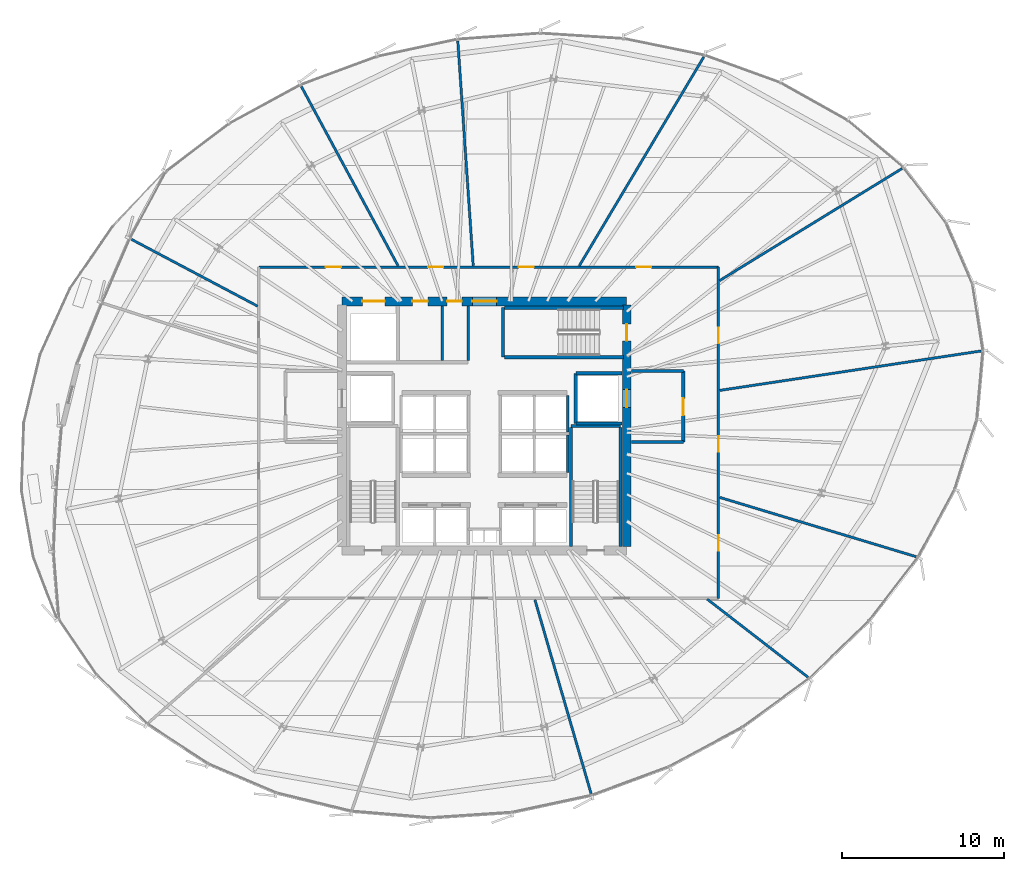
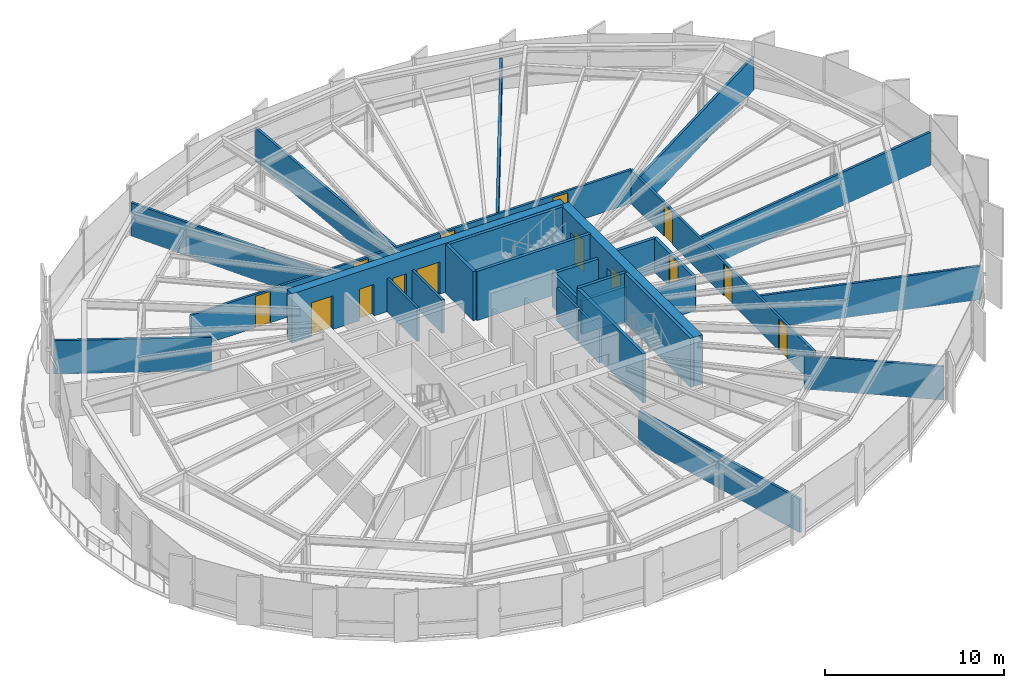
# One storey, part 30 of 35: 29 walls, 14 doors, 14 openings.
"""IFC4 building model written with IfcOpenShell, lengths in metres."""

from ifc_helpers import new_model, si_unit, direction, frame, frame_2d, origin, place, context, subcontext, project, spatial, rectangle, extrude, source, transform, mapped, material, layer, layer_set, type_object, element, fill, save


model = new_model("IFC4")

# Units and contexts
model_context = context("Model", 3, precision=1e-05, world=origin(), true_north=direction((0.0, 1.0)))
body_context = subcontext(model_context, "Body", "Model", "MODEL_VIEW")
ifc_project = project(units=[si_unit("LENGTHUNIT", "METRE"), si_unit("AREAUNIT", "SQUARE_METRE"), si_unit("VOLUMEUNIT", "CUBIC_METRE"), si_unit("PLANEANGLEUNIT", "RADIAN"), si_unit("MASSUNIT", "GRAM", prefix="KILO"), si_unit("THERMODYNAMICTEMPERATUREUNIT", "KELVIN")], contexts=[model_context])

# Site, building, storey
site_placement = place(None, origin())
site = spatial("IfcSite", under=ifc_project, at=site_placement, CompositionType="ELEMENT")
building_placement = place(site_placement, origin())
building = spatial("IfcBuilding", under=site, at=building_placement, Name="Kethvar Cultural Tower", CompositionType="ELEMENT")
storey_placement = place(building_placement, frame((0.0, 0.0, 100.0)))
storey = spatial("IfcBuildingStorey", under=building, at=storey_placement, Name="L24", CompositionType="ELEMENT", Elevation=100.0)

# Wall, openings, doors
ifc_material_1 = material(Name="Concrete C60/75", Category="concrete")
ifc_layer_1 = layer(ifc_material_1, 0.550048828125, Name="Concrete C60/75", Category="concrete")
ifc_layer_set_1 = layer_set([ifc_layer_1], Name="Concrete C60/75 (550 mm)")
wall_type_1 = type_object("IfcWallType", Name="WL-CORE-550", PredefinedType="SHEAR", material=ifc_layer_set_1)
wall_1_placement = place(storey_placement, frame((55.60009765625, 35.5, 0.0), z_axis=(0.0, 0.0, 1.0), x_axis=(-1.0, 0.0, 0.0)))
wall_1 = element("IfcWall", 1, at=wall_1_placement, inside=storey, type_object=wall_type_1, Name="L24 Core Shear Wall N", PredefinedType="SHEAR", context=body_context, shape_type="SweptSolid", body=[
    extrude(rectangle(XDim=17.60009765625, YDim=0.550048828125, at=frame_2d((8.800048828125, 0.0))), origin(), (0.0, 0.0, 1.0), 3.35009765625),
])
opening_1_placement = place(wall_1_placement, frame((8.050048828125, 0.0, 0.0)))
opening_1 = element("IfcOpeningElement", 2, at=opening_1_placement, cuts=wall_1, Name="Opening D-L24-LN", PredefinedType="OPENING", context=body_context, shape_type="SweptSolid", body=[
    extrude(rectangle(XDim=1.5, YDim=2.199951171875, at=frame_2d((0.75, 1.10009765625))), frame((0.0, 0.284912109375, 0.0), z_axis=(0.0, -1.0, 0.0), x_axis=(1.0, 0.0, 0.0)), (0.0, 0.0, 1.0), 0.570068359375),
])
opening_2_placement = place(wall_1_placement, frame((14.949951171875, 0.0, 0.0)))
opening_2 = element("IfcOpeningElement", 3, at=opening_2_placement, cuts=wall_1, Name="Opening LD-G1", PredefinedType="OPENING", context=body_context, shape_type="SweptSolid", body=[
    extrude(rectangle(XDim=1.39990234375, YDim=2.300048828125, at=frame_2d((0.699951171875, 1.14990234375))), frame((0.0, 0.284912109375, 0.0), z_axis=(0.0, -1.0, 0.0), x_axis=(1.0, 0.0, 0.0)), (0.0, 0.0, 1.0), 0.570068359375),
])
opening_3_placement = place(wall_1_placement, frame((12.300048828125, 0.0, 0.0)))
opening_3 = element("IfcOpeningElement", 4, at=opening_3_placement, cuts=wall_1, Name="Opening D-L24-W1", PredefinedType="OPENING", context=body_context, shape_type="SweptSolid", body=[
    extrude(rectangle(XDim=0.949951171875, YDim=2.14990234375, at=frame_2d((0.47509765625, 1.074951171875))), frame((0.0, 0.284912109375, 0.0), z_axis=(0.0, -1.0, 0.0), x_axis=(1.0, 0.0, 0.0)), (0.0, 0.0, 1.0), 0.570068359375),
])
opening_4_placement = place(wall_1_placement, frame((10.199951171875, 0.0, 0.0)))
opening_4 = element("IfcOpeningElement", 5, at=opening_4_placement, cuts=wall_1, Name="Opening D-L24-W2", PredefinedType="OPENING", context=body_context, shape_type="SweptSolid", body=[
    extrude(rectangle(XDim=0.89990234375, YDim=2.14990234375, at=frame_2d((0.449951171875, 1.074951171875))), frame((0.0, 0.284912109375, 0.0), z_axis=(0.0, -1.0, 0.0), x_axis=(1.0, 0.0, 0.0)), (0.0, 0.0, 1.0), 0.570068359375),
])
ifc_material_2 = material(Name="Architectural Oak Timber", Category="wood")
door_type_1 = type_object("IfcDoorType", Name="DR-DBL-FD60-1500", OperationType="DOUBLE_DOOR_SINGLE_SWING", PredefinedType="DOOR", material=ifc_material_2)
shared_shape_1 = source(origin(), body_context, "Body", "SweptSolid", [
    extrude(rectangle(XDim=1.5, YDim=2.199951171875, at=frame_2d((0.75, 1.10009765625))), frame((0.0, 0.02490234375, 0.0), z_axis=(0.0, -1.0, 0.0), x_axis=(1.0, 0.0, 0.0)), (0.0, 0.0, 1.0), 0.050048828125),
])
door_1_placement = place(opening_1_placement, origin())
door_1 = element("IfcDoor", 6, at=door_1_placement, inside=storey, type_object=door_type_1, Name="L24 Lift Lobby Concourse Door", OperationType="DOUBLE_DOOR_SINGLE_SWING", OverallHeight=2.199951171875, OverallWidth=1.5, PredefinedType="DOOR", context=body_context, shape_type="MappedRepresentation", body=[
    mapped(shared_shape_1, transform((0.0, 0.0, 0.0), scale=1.0)),
])
fill(opening_1, door_1)
ifc_material_3 = material(Name="Steel S355J2", Category="steel")
door_type_2 = type_object("IfcDoorType", Name="DR-LIFT-SLIDE-1400", OperationType="NOTDEFINED", PredefinedType="DOOR", material=ifc_material_3)
shared_shape_2 = source(origin(), body_context, "Body", "SweptSolid", [
    extrude(rectangle(XDim=1.39990234375, YDim=2.300048828125, at=frame_2d((0.699951171875, 1.14990234375))), frame((0.0, 0.02490234375, 0.0), z_axis=(0.0, -1.0, 0.0), x_axis=(1.0, 0.0, 0.0)), (0.0, 0.0, 1.0), 0.050048828125),
])
door_2_placement = place(opening_2_placement, origin())
door_2 = element("IfcDoor", 7, at=door_2_placement, inside=storey, type_object=door_type_2, Name="L24 Goods Lift Landing Door", OperationType="SLIDING_TO_RIGHT", OverallHeight=2.300048828125, OverallWidth=1.39990234375, PredefinedType="DOOR", context=body_context, shape_type="MappedRepresentation", body=[
    mapped(shared_shape_2, transform((0.0, 0.0, 0.0), scale=1.0)),
])
fill(opening_2, door_2)
door_type_3 = type_object("IfcDoorType", Name="DR-FD30-950", OperationType="NOTDEFINED", PredefinedType="DOOR", material=ifc_material_2)
shared_shape_3 = source(origin(), body_context, "Body", "SweptSolid", [
    extrude(rectangle(XDim=0.949951171875, YDim=2.14990234375, at=frame_2d((0.47509765625, 1.074951171875))), frame((0.0, 0.02490234375, 0.0), z_axis=(0.0, -1.0, 0.0), x_axis=(1.0, 0.0, 0.0)), (0.0, 0.0, 1.0), 0.050048828125),
])
door_3_placement = place(opening_3_placement, origin())
door_3 = element("IfcDoor", 8, at=door_3_placement, inside=storey, type_object=door_type_3, Name="L24 Public Washroom Door", OperationType="SINGLE_SWING_LEFT", OverallHeight=2.14990234375, OverallWidth=0.949951171875, PredefinedType="DOOR", context=body_context, shape_type="MappedRepresentation", body=[
    mapped(shared_shape_3, transform((0.0, 0.0, 0.0), scale=1.0)),
])
fill(opening_3, door_3)
door_type_4 = type_object("IfcDoorType", Name="DR-FD30-900", OperationType="NOTDEFINED", PredefinedType="DOOR", material=ifc_material_2)
shared_shape_4 = source(origin(), body_context, "Body", "SweptSolid", [
    extrude(rectangle(XDim=0.89990234375, YDim=2.14990234375, at=frame_2d((0.449951171875, 1.074951171875))), frame((0.0, 0.02490234375, 0.0), z_axis=(0.0, -1.0, 0.0), x_axis=(1.0, 0.0, 0.0)), (0.0, 0.0, 1.0), 0.050048828125),
])
door_4_placement = place(opening_4_placement, origin())
door_4 = element("IfcDoor", 9, at=door_4_placement, inside=storey, type_object=door_type_4, Name="L24 Accessible Washroom Door", OperationType="SINGLE_SWING_RIGHT", OverallHeight=2.14990234375, OverallWidth=0.89990234375, PredefinedType="DOOR", context=body_context, shape_type="MappedRepresentation", body=[
    mapped(shared_shape_4, transform((0.0, 0.0, 0.0), scale=1.0)),
])
fill(opening_4, door_4)

wall_2_placement = place(storey_placement, frame((55.60009765625, 20.340087890625, 0.0), z_axis=(0.0, 0.0, 1.0), x_axis=(0.0, 1.0, 0.0)))
wall_2 = element("IfcWall", 10, at=wall_2_placement, inside=storey, type_object=wall_type_1, Name="L24 Core Shear Wall E", PredefinedType="SHEAR", context=body_context, shape_type="SweptSolid", body=[
    extrude(rectangle(XDim=14.919921875, YDim=0.550048828125, at=frame_2d((7.4599609375, 0.0))), origin(), (0.0, 0.0, 1.0), 3.35009765625),
])
opening_5_placement = place(wall_2_placement, frame((12.7099609375, 0.0, 0.0)))
opening_5 = element("IfcOpeningElement", 11, at=opening_5_placement, cuts=wall_2, Name="Opening D-L24-S3", PredefinedType="OPENING", context=body_context, shape_type="SweptSolid", body=[
    extrude(rectangle(XDim=1.050048828125, YDim=2.14990234375, at=frame_2d((0.52490234375, 1.074951171875))), frame((0.0, 0.284912109375, 0.0), z_axis=(0.0, -1.0, 0.0), x_axis=(1.0, 0.0, 0.0)), (0.0, 0.0, 1.0), 0.570068359375),
])
opening_6_placement = place(wall_2_placement, frame((8.610107421875, 0.0, 0.0)))
opening_6 = element("IfcOpeningElement", 12, at=opening_6_placement, cuts=wall_2, Name="Opening LD-2", PredefinedType="OPENING", context=body_context, shape_type="SweptSolid", body=[
    extrude(rectangle(XDim=1.10009765625, YDim=2.199951171875, at=frame_2d((0.550048828125, 1.10009765625))), frame((0.0, 0.284912109375, 0.0), z_axis=(0.0, -1.0, 0.0), x_axis=(1.0, 0.0, 0.0)), (0.0, 0.0, 1.0), 0.570068359375),
])
door_type_5 = type_object("IfcDoorType", Name="DR-FD60-1050", OperationType="NOTDEFINED", PredefinedType="DOOR", material=ifc_material_3)
shared_shape_5 = source(origin(), body_context, "Body", "SweptSolid", [
    extrude(rectangle(XDim=1.050048828125, YDim=2.14990234375, at=frame_2d((0.52490234375, 1.074951171875))), frame((0.0, 0.02490234375, 0.0), z_axis=(0.0, -1.0, 0.0), x_axis=(1.0, 0.0, 0.0)), (0.0, 0.0, 1.0), 0.050048828125),
])
door_5_placement = place(opening_5_placement, origin())
door_5 = element("IfcDoor", 13, at=door_5_placement, inside=storey, type_object=door_type_5, Name="L24 Exit Stair 3 Door", OperationType="SINGLE_SWING_LEFT", OverallHeight=2.14990234375, OverallWidth=1.050048828125, PredefinedType="DOOR", context=body_context, shape_type="MappedRepresentation", body=[
    mapped(shared_shape_5, transform((0.0, 0.0, 0.0), scale=1.0)),
])
fill(opening_5, door_5)
door_type_6 = type_object("IfcDoorType", Name="DR-LIFT-SLIDE-1100", OperationType="NOTDEFINED", PredefinedType="DOOR", material=ifc_material_3)
shared_shape_6 = source(origin(), body_context, "Body", "SweptSolid", [
    extrude(rectangle(XDim=1.10009765625, YDim=2.199951171875, at=frame_2d((0.550048828125, 1.10009765625))), frame((0.0, 0.02490234375, 0.0), z_axis=(0.0, -1.0, 0.0), x_axis=(1.0, 0.0, 0.0)), (0.0, 0.0, 1.0), 0.050048828125),
])
door_6_placement = place(opening_6_placement, origin())
door_6 = element("IfcDoor", 14, at=door_6_placement, inside=storey, type_object=door_type_6, Name="L24 Firefighting Lift Landing Door FFL-02", OperationType="SLIDING_TO_RIGHT", OverallHeight=2.199951171875, OverallWidth=1.10009765625, PredefinedType="DOOR", context=body_context, shape_type="MappedRepresentation", body=[
    mapped(shared_shape_6, transform((0.0, 0.0, 0.0), scale=1.0)),
])
fill(opening_6, door_6)

# Walls
ifc_material_4 = material(Name="Gypsum Fireboard Partition")
ifc_layer_2 = layer(ifc_material_4, 0.14990234375, Name="Gypsum Fireboard Partition")
ifc_layer_set_2 = layer_set([ifc_layer_2], Name="Gypsum Fireboard Partition (150 mm)")
wall_type_2 = type_object("IfcWallType", Name="WL-FIRE-150", PredefinedType="PARTITIONING", material=ifc_layer_set_2)
wall_3_placement = place(storey_placement, frame((51.949951171875, 24.919921875, 0.0), z_axis=(0.0, 0.0, 1.0), x_axis=(0.0, 1.0, 0.0)))
element("IfcWall", 15, at=wall_3_placement, inside=storey, type_object=wall_type_2, Name="L24 Mid-Rise Lift Shaft Outer Wall E", PredefinedType="PARTITIONING", context=body_context, shape_type="SweptSolid", body=[
    extrude(rectangle(XDim=2.320068359375, YDim=0.14990234375, at=frame_2d((1.16015625, 0.0))), origin(), (0.0, 0.0, 1.0), 2.280029296875),
])
wall_4_placement = place(storey_placement, frame((51.949951171875, 27.409912109375, 0.0), z_axis=(0.0, 0.0, 1.0), x_axis=(0.0, 1.0, 0.0)))
element("IfcWall", 16, at=wall_4_placement, inside=storey, type_object=wall_type_2, Name="L24 High-Rise Lift Shaft Outer Wall E", PredefinedType="PARTITIONING", context=body_context, shape_type="SweptSolid", body=[
    extrude(rectangle(XDim=2.27001953125, YDim=0.14990234375, at=frame_2d((1.135009765625, 0.0))), origin(), (0.0, 0.0, 1.0), 2.280029296875),
])
wall_5_placement = place(storey_placement, frame((45.800048828125, 31.85009765625, 0.0), z_axis=(0.0, 0.0, 1.0), x_axis=(0.0, 1.0, 0.0)))
element("IfcWall", 17, at=wall_5_placement, inside=storey, type_object=wall_type_2, Name="L24 Sanitary Spine Wall", PredefinedType="PARTITIONING", context=body_context, shape_type="SweptSolid", body=[
    extrude(rectangle(XDim=3.364990234375, YDim=0.14990234375, at=frame_2d((1.6826171875, 0.0))), origin(), (0.0, 0.0, 1.0), 2.280029296875),
])

# Wall, openings, doors
wall_6_placement = place(storey_placement, frame((61.27001953125, 17.139892578125, 0.0), z_axis=(0.0, 0.0, 1.0), x_axis=(0.0, 1.0, 0.0)))
wall_6 = element("IfcWall", 18, at=wall_6_placement, inside=storey, type_object=wall_type_2, Name="L24 Corridor Rated Wall E", PredefinedType="PARTITIONING", context=body_context, shape_type="SweptSolid", body=[
    extrude(rectangle(XDim=20.480224609375, YDim=0.14990234375, at=frame_2d((10.240234375, 0.0))), origin(), (0.0, 0.0, 1.0), 2.280029296875),
])
opening_7_placement = place(wall_6_placement, frame((2.947021484375, 0.0, 0.0)))
opening_7 = element("IfcOpeningElement", 19, at=opening_7_placement, cuts=wall_6, Name="Opening D-L24-04", PredefinedType="OPENING", context=body_context, shape_type="SweptSolid", body=[
    extrude(rectangle(XDim=0.949951171875, YDim=2.14990234375, at=frame_2d((0.47509765625, 1.074951171875))), frame((0.0, 0.0849609375, 0.0), z_axis=(0.0, -1.0, 0.0), x_axis=(1.0, 0.0, 0.0)), (0.0, 0.0, 1.0), 0.169921875),
])
opening_8_placement = place(wall_6_placement, frame((9.073974609375, 0.0, 0.0)))
opening_8 = element("IfcOpeningElement", 20, at=opening_8_placement, cuts=wall_6, Name="Opening D-L24-05", PredefinedType="OPENING", context=body_context, shape_type="SweptSolid", body=[
    extrude(rectangle(XDim=0.949951171875, YDim=2.14990234375, at=frame_2d((0.47509765625, 1.074951171875))), frame((0.0, 0.0849609375, 0.0), z_axis=(0.0, -1.0, 0.0), x_axis=(1.0, 0.0, 0.0)), (0.0, 0.0, 1.0), 0.169921875),
])
opening_9_placement = place(wall_6_placement, frame((15.77197265625, 0.0, 0.0)))
opening_9 = element("IfcOpeningElement", 21, at=opening_9_placement, cuts=wall_6, Name="Opening D-L24-06", PredefinedType="OPENING", context=body_context, shape_type="SweptSolid", body=[
    extrude(rectangle(XDim=0.949951171875, YDim=2.14990234375, at=frame_2d((0.47509765625, 1.074951171875))), frame((0.0, 0.0849609375, 0.0), z_axis=(0.0, -1.0, 0.0), x_axis=(1.0, 0.0, 0.0)), (0.0, 0.0, 1.0), 0.169921875),
])
door_7_placement = place(opening_7_placement, origin())
door_7 = element("IfcDoor", 22, at=door_7_placement, inside=storey, type_object=door_type_3, Name="L24 Curatorial Conference Room 04 Door", OperationType="SINGLE_SWING_RIGHT", OverallHeight=2.14990234375, OverallWidth=0.949951171875, PredefinedType="DOOR", context=body_context, shape_type="MappedRepresentation", body=[
    mapped(shared_shape_3, transform((0.0, 0.0, 0.0), scale=1.0)),
])
fill(opening_7, door_7)
door_8_placement = place(opening_8_placement, origin())
door_8 = element("IfcDoor", 23, at=door_8_placement, inside=storey, type_object=door_type_3, Name="L24 Colloquium Seminar Room 05 Door", OperationType="SINGLE_SWING_LEFT", OverallHeight=2.14990234375, OverallWidth=0.949951171875, PredefinedType="DOOR", context=body_context, shape_type="MappedRepresentation", body=[
    mapped(shared_shape_3, transform((0.0, 0.0, 0.0), scale=1.0)),
])
fill(opening_8, door_8)
door_9_placement = place(opening_9_placement, origin())
door_9 = element("IfcDoor", 24, at=door_9_placement, inside=storey, type_object=door_type_3, Name="L24 Panoramic Reading Lounge 06 Door", OperationType="SINGLE_SWING_RIGHT", OverallHeight=2.14990234375, OverallWidth=0.949951171875, PredefinedType="DOOR", context=body_context, shape_type="MappedRepresentation", body=[
    mapped(shared_shape_3, transform((0.0, 0.0, 0.0), scale=1.0)),
])
fill(opening_9, door_9)

wall_7_placement = place(storey_placement, frame((61.27001953125, 37.6201171875, 0.0), z_axis=(0.0, 0.0, 1.0), x_axis=(-1.0, 0.0, 0.0)))
wall_7 = element("IfcWall", 25, at=wall_7_placement, inside=storey, type_object=wall_type_2, Name="L24 Corridor Rated Wall N", PredefinedType="PARTITIONING", context=body_context, shape_type="SweptSolid", body=[
    extrude(rectangle(XDim=28.419921875, YDim=0.14990234375, at=frame_2d((14.2099609375, 0.0))), origin(), (0.0, 0.0, 1.0), 2.280029296875),
])
opening_10_placement = place(wall_7_placement, frame((4.139404296875, 0.0, 0.0)))
opening_10 = element("IfcOpeningElement", 26, at=opening_10_placement, cuts=wall_7, Name="Opening D-L24-07", PredefinedType="OPENING", context=body_context, shape_type="SweptSolid", body=[
    extrude(rectangle(XDim=0.949951171875, YDim=2.14990234375, at=frame_2d((0.47509765625, 1.074951171875))), frame((0.0, 0.0849609375, 0.0), z_axis=(0.0, -1.0, 0.0), x_axis=(1.0, 0.0, 0.0)), (0.0, 0.0, 1.0), 0.169921875),
])
opening_11_placement = place(wall_7_placement, frame((11.40478515625, 0.0, 0.0)))
opening_11 = element("IfcOpeningElement", 27, at=opening_11_placement, cuts=wall_7, Name="Opening D-L24-08", PredefinedType="OPENING", context=body_context, shape_type="SweptSolid", body=[
    extrude(rectangle(XDim=0.949951171875, YDim=2.14990234375, at=frame_2d((0.47509765625, 1.074951171875))), frame((0.0, 0.0849609375, 0.0), z_axis=(0.0, -1.0, 0.0), x_axis=(1.0, 0.0, 0.0)), (0.0, 0.0, 1.0), 0.169921875),
])
opening_12_placement = place(wall_7_placement, frame((17.0048828125, 0.0, 0.0)))
opening_12 = element("IfcOpeningElement", 28, at=opening_12_placement, cuts=wall_7, Name="Opening D-L24-09", PredefinedType="OPENING", context=body_context, shape_type="SweptSolid", body=[
    extrude(rectangle(XDim=0.949951171875, YDim=2.14990234375, at=frame_2d((0.47509765625, 1.074951171875))), frame((0.0, 0.0849609375, 0.0), z_axis=(0.0, -1.0, 0.0), x_axis=(1.0, 0.0, 0.0)), (0.0, 0.0, 1.0), 0.169921875),
])
opening_13_placement = place(wall_7_placement, frame((23.328125, 0.0, 0.0)))
opening_13 = element("IfcOpeningElement", 29, at=opening_13_placement, cuts=wall_7, Name="Opening D-L24-10", PredefinedType="OPENING", context=body_context, shape_type="SweptSolid", body=[
    extrude(rectangle(XDim=0.949951171875, YDim=2.14990234375, at=frame_2d((0.47509765625, 1.074951171875))), frame((0.0, 0.0849609375, 0.0), z_axis=(0.0, -1.0, 0.0), x_axis=(1.0, 0.0, 0.0)), (0.0, 0.0, 1.0), 0.169921875),
])
door_10_placement = place(opening_10_placement, origin())
door_10 = element("IfcDoor", 30, at=door_10_placement, inside=storey, type_object=door_type_3, Name="L24 Cultural Periodicals Kiosk 07 Door", OperationType="SINGLE_SWING_LEFT", OverallHeight=2.14990234375, OverallWidth=0.949951171875, PredefinedType="DOOR", context=body_context, shape_type="MappedRepresentation", body=[
    mapped(shared_shape_3, transform((0.0, 0.0, 0.0), scale=1.0)),
])
fill(opening_10, door_10)
door_11_placement = place(opening_11_placement, origin())
door_11 = element("IfcDoor", 31, at=door_11_placement, inside=storey, type_object=door_type_3, Name="L24 Founders' Reception 08 Door", OperationType="SINGLE_SWING_RIGHT", OverallHeight=2.14990234375, OverallWidth=0.949951171875, PredefinedType="DOOR", context=body_context, shape_type="MappedRepresentation", body=[
    mapped(shared_shape_3, transform((0.0, 0.0, 0.0), scale=1.0)),
])
fill(opening_11, door_11)
door_12_placement = place(opening_12_placement, origin())
door_12 = element("IfcDoor", 32, at=door_12_placement, inside=storey, type_object=door_type_3, Name="L24 Scholars' Servery Pantry 09 Door", OperationType="SINGLE_SWING_LEFT", OverallHeight=2.14990234375, OverallWidth=0.949951171875, PredefinedType="DOOR", context=body_context, shape_type="MappedRepresentation", body=[
    mapped(shared_shape_3, transform((0.0, 0.0, 0.0), scale=1.0)),
])
fill(opening_12, door_12)
door_13_placement = place(opening_13_placement, origin())
door_13 = element("IfcDoor", 33, at=door_13_placement, inside=storey, type_object=door_type_3, Name="L24 Manuscript Archive Store 10 Door", OperationType="SINGLE_SWING_RIGHT", OverallHeight=2.14990234375, OverallWidth=0.949951171875, PredefinedType="DOOR", context=body_context, shape_type="MappedRepresentation", body=[
    mapped(shared_shape_3, transform((0.0, 0.0, 0.0), scale=1.0)),
])
fill(opening_13, door_13)

# Walls
ifc_material_5 = material(Name="Concrete C40/50", Category="concrete")
ifc_layer_3 = layer(ifc_material_5, 0.199951171875, Name="Concrete C40/50", Category="concrete")
ifc_layer_set_3 = layer_set([ifc_layer_3], Name="Concrete C40/50 (200 mm)")
wall_type_3 = type_object("IfcWallType", Name="WL-FIRE-200", PredefinedType="PARTITIONING", material=ifc_layer_set_3)
wall_8_placement = place(storey_placement, frame((52.449951171875, 27.949951171875, 0.0), z_axis=(0.0, 0.0, 1.0), x_axis=(0.0, 1.0, 0.0)))
element("IfcWall", 34, at=wall_8_placement, inside=storey, type_object=wall_type_3, Name="L24 FFL-02 Shaft Inner Wall", PredefinedType="PARTITIONING", context=body_context, shape_type="SweptSolid", body=[
    extrude(rectangle(XDim=3.10009765625, YDim=0.199951171875, at=frame_2d((1.550048828125, 0.0))), origin(), (0.0, 0.0, 1.0), 2.280029296875),
])
for number, where, z_axis, x_axis, name in (
    (35, (52.449951171875, 27.949951171875, 0.0), (0.0, 0.0, 1.0), (1.0, 0.0, 0.0), "L24 FFL-02 Shaft South Wall"),
    (36, (52.449951171875, 31.050048828125, 0.0), (0.0, 0.0, 1.0), (1.0, 0.0, 0.0), "L24 FFL-02 Shaft North Wall"),
):
    element("IfcWall", number, at=place(storey_placement, frame(where, z_axis=z_axis, x_axis=x_axis)), inside=storey, type_object=wall_type_3, Name=name, PredefinedType="PARTITIONING", context=body_context, shape_type="SweptSolid", body=[
        extrude(rectangle(XDim=2.864990234375, YDim=0.199951171875, at=frame_2d((1.4326171875, 0.0))), origin(), (0.0, 0.0, 1.0), 2.280029296875),
    ])

# Wall, opening, door
wall_9_placement = place(storey_placement, frame((59.10009765625, 26.800048828125, 0.0), z_axis=(0.0, 0.0, 1.0), x_axis=(0.0, 1.0, 0.0)))
wall_9 = element("IfcWall", 37, at=wall_9_placement, inside=storey, type_object=wall_type_3, Name="L24 Firefighting Lobby 2 Wall", PredefinedType="PARTITIONING", context=body_context, shape_type="SweptSolid", body=[
    extrude(rectangle(XDim=4.39990234375, YDim=0.199951171875, at=frame_2d((2.199951171875, 0.0))), origin(), (0.0, 0.0, 1.0), 2.280029296875),
])
opening_14_placement = place(wall_9_placement, frame((1.64990234375, 0.0, 0.0)))
opening_14 = element("IfcOpeningElement", 38, at=opening_14_placement, cuts=wall_9, Name="Opening D-L24-F2", PredefinedType="OPENING", context=body_context, shape_type="SweptSolid", body=[
    extrude(rectangle(XDim=1.050048828125, YDim=2.14990234375, at=frame_2d((0.52490234375, 1.074951171875))), frame((0.0, 0.10986328125, 0.0), z_axis=(0.0, -1.0, 0.0), x_axis=(1.0, 0.0, 0.0)), (0.0, 0.0, 1.0), 0.219970703125),
])
door_14_placement = place(opening_14_placement, origin())
door_14 = element("IfcDoor", 39, at=door_14_placement, inside=storey, type_object=door_type_5, Name="L24 Firefighting Lobby 2 Fire Door", OperationType="SINGLE_SWING_LEFT", OverallHeight=2.14990234375, OverallWidth=1.050048828125, PredefinedType="DOOR", context=body_context, shape_type="MappedRepresentation", body=[
    mapped(shared_shape_5, transform((0.0, 0.0, 0.0), scale=1.0)),
])
fill(opening_14, door_14)

# Walls
for number, where, z_axis, x_axis, name in (
    (40, (55.885009765625, 26.800048828125, 0.0), (0.0, 0.0, 1.0), (1.0, 0.0, 0.0), "L24 FF Lobby 2 South Wall"),
    (41, (55.885009765625, 31.199951171875, 0.0), (0.0, 0.0, 1.0), (1.0, 0.0, 0.0), "L24 FF Lobby 2 North Wall"),
):
    element("IfcWall", number, at=place(storey_placement, frame(where, z_axis=z_axis, x_axis=x_axis)), inside=storey, type_object=wall_type_3, Name=name, PredefinedType="PARTITIONING", context=body_context, shape_type="SweptSolid", body=[
        extrude(rectangle(XDim=3.215087890625, YDim=0.199951171875, at=frame_2d((1.607421875, 0.0))), origin(), (0.0, 0.0, 1.0), 2.280029296875),
    ])
ifc_material_6 = material(Name="Gypsum Acoustic Partition")
ifc_layer_4 = layer(ifc_material_6, 0.14990234375, Name="Gypsum Acoustic Partition")
ifc_layer_set_4 = layer_set([ifc_layer_4], Name="Gypsum Acoustic Partition (150 mm)")
wall_type_4 = type_object("IfcWallType", Name="WL-PART-150", PredefinedType="PARTITIONING", material=ifc_layer_set_4)
wall_10_placement = place(storey_placement, frame((49.919189453125, 17.063232421875, 0.0), z_axis=(0.0, 0.0, 1.0), x_axis=(0.278379053625, -0.960471291868, 0.0)))
element("IfcWall", 42, at=wall_10_placement, inside=storey, type_object=wall_type_4, Name="L24 Radial Partition Wall 03", PredefinedType="PARTITIONING", context=body_context, shape_type="SweptSolid", body=[
    extrude(rectangle(XDim=12.484130859375, YDim=0.14990234375, at=frame_2d((6.2421875, 0.0))), origin(), (0.0, 0.0, 1.0), 2.280029296875),
])
wall_11_placement = place(storey_placement, frame((60.573486328125, 17.091064453125, 0.0), z_axis=(0.0, 0.0, 1.0), x_axis=(0.790689844619, -0.612216930195, 0.0)))
element("IfcWall", 43, at=wall_11_placement, inside=storey, type_object=wall_type_4, Name="L24 Radial Partition Wall 04", PredefinedType="PARTITIONING", context=body_context, shape_type="SweptSolid", body=[
    extrude(rectangle(XDim=7.880615234375, YDim=0.14990234375, at=frame_2d((3.9404296875, 0.0))), origin(), (0.0, 0.0, 1.0), 2.280029296875),
])
wall_12_placement = place(storey_placement, frame((61.3466796875, 23.380859375, 0.0), z_axis=(0.0, 0.0, 1.0), x_axis=(0.957330421748, -0.288995611725, 0.0)))
element("IfcWall", 44, at=wall_12_placement, inside=storey, type_object=wall_type_4, Name="L24 Radial Partition Wall 05", PredefinedType="PARTITIONING", context=body_context, shape_type="SweptSolid", body=[
    extrude(rectangle(XDim=12.69287109375, YDim=0.14990234375, at=frame_2d((6.346435546875, 0.0))), origin(), (0.0, 0.0, 1.0), 2.280029296875),
])
wall_13_placement = place(storey_placement, frame((61.34912109375, 29.9951171875, 0.0), z_axis=(0.0, 0.0, 1.0), x_axis=(0.988811435939, 0.149170855587, 0.0)))
element("IfcWall", 45, at=wall_13_placement, inside=storey, type_object=wall_type_4, Name="L24 Radial Partition Wall 06", PredefinedType="PARTITIONING", context=body_context, shape_type="SweptSolid", body=[
    extrude(rectangle(XDim=16.34521484375, YDim=0.14990234375, at=frame_2d((8.172607421875, 0.0))), origin(), (0.0, 0.0, 1.0), 2.280029296875),
])
wall_14_placement = place(storey_placement, frame((61.338134765625, 36.782958984375, 0.0), z_axis=(0.0, 0.0, 1.0), x_axis=(0.852112517171, 0.523358632374, 0.0)))
element("IfcWall", 46, at=wall_14_placement, inside=storey, type_object=wall_type_4, Name="L24 Radial Partition Wall 07", PredefinedType="PARTITIONING", context=body_context, shape_type="SweptSolid", body=[
    extrude(rectangle(XDim=13.24169921875, YDim=0.14990234375, at=frame_2d((6.620849609375, 0.0))), origin(), (0.0, 0.0, 1.0), 2.280029296875),
])
wall_15_placement = place(storey_placement, frame((52.661865234375, 37.688720703125, 0.0), z_axis=(0.0, 0.0, 1.0), x_axis=(0.512009752846, 0.858979634794, 0.0)))
element("IfcWall", 47, at=wall_15_placement, inside=storey, type_object=wall_type_4, Name="L24 Radial Partition Wall 08", PredefinedType="PARTITIONING", context=body_context, shape_type="SweptSolid", body=[
    extrude(rectangle(XDim=15.04736328125, YDim=0.14990234375, at=frame_2d((7.523681640625, 0.0))), origin(), (0.0, 0.0, 1.0), 2.280029296875),
])
wall_16_placement = place(storey_placement, frame((46.109375, 37.69970703125, 0.0), z_axis=(0.0, 0.0, 1.0), x_axis=(-0.068438008165, 0.997655370876, 0.0)))
element("IfcWall", 48, at=wall_16_placement, inside=storey, type_object=wall_type_4, Name="L24 Radial Partition Wall 09", PredefinedType="PARTITIONING", context=body_context, shape_type="SweptSolid", body=[
    extrude(rectangle(XDim=13.92333984375, YDim=0.14990234375, at=frame_2d((6.961669921875, 0.0))), origin(), (0.0, 0.0, 1.0), 2.280029296875),
])
wall_17_placement = place(storey_placement, frame((41.4658203125, 37.6904296875, 0.0), z_axis=(0.0, 0.0, 1.0), x_axis=(-0.474648473647, 0.880175452091, 0.0)))
element("IfcWall", 49, at=wall_17_placement, inside=storey, type_object=wall_type_4, Name="L24 Radial Partition Wall 10", PredefinedType="PARTITIONING", context=body_context, shape_type="SweptSolid", body=[
    extrude(rectangle(XDim=12.602294921875, YDim=0.14990234375, at=frame_2d((6.30126953125, 0.0))), origin(), (0.0, 0.0, 1.0), 2.280029296875),
])
wall_18_placement = place(storey_placement, frame((32.779296875, 35.20458984375, 0.0), z_axis=(0.0, 0.0, 1.0), x_axis=(-0.883812825264, 0.467840667213, 0.0)))
element("IfcWall", 50, at=wall_18_placement, inside=storey, type_object=wall_type_4, Name="L24 Radial Partition Wall 11", PredefinedType="PARTITIONING", context=body_context, shape_type="SweptSolid", body=[
    extrude(rectangle(XDim=8.82080078125, YDim=0.14990234375, at=frame_2d((4.410400390625, 0.0))), origin(), (0.0, 0.0, 1.0), 2.280029296875),
])
ifc_material_7 = material(Name="Moisture-Resistant Sanitary Chase Wall")
ifc_layer_5 = layer(ifc_material_7, 0.14990234375, Name="Moisture-Resistant Sanitary Chase Wall")
ifc_layer_set_5 = layer_set([ifc_layer_5], Name="Moisture-Resistant Sanitary Chase Wall (150 mm)")
wall_type_5 = type_object("IfcWallType", Name="WL-PLUMB-150", PredefinedType="PLUMBINGWALL", material=ifc_layer_set_5)
wall_19_placement = place(storey_placement, frame((44.199951171875, 31.85009765625, 0.0), z_axis=(0.0, 0.0, 1.0), x_axis=(0.0, 1.0, 0.0)))
element("IfcWall", 51, at=wall_19_placement, inside=storey, type_object=wall_type_5, Name="L24 Sanitary Plumbing Wall", PredefinedType="PLUMBINGWALL", context=body_context, shape_type="SweptSolid", body=[
    extrude(rectangle(XDim=3.364990234375, YDim=0.14990234375, at=frame_2d((1.6826171875, 0.0))), origin(), (0.0, 0.0, 1.0), 2.280029296875),
])
ifc_material_8 = material(Name="Concrete C50/60", Category="concrete")
ifc_layer_6 = layer(ifc_material_8, 0.199951171875, Name="Concrete C50/60", Category="concrete")
ifc_layer_set_6 = layer_set([ifc_layer_6], Name="Concrete C50/60 (200 mm)")
wall_type_6 = type_object("IfcWallType", Name="WL-STSHAFT-200", PredefinedType="SHEAR", material=ifc_layer_set_6)
wall_20_placement = place(storey_placement, frame((52.14990234375, 27.800048828125, 0.0), z_axis=(0.0, 0.0, 1.0), x_axis=(1.0, 0.0, 0.0)))
element("IfcWall", 52, at=wall_20_placement, inside=storey, type_object=wall_type_6, Name="L24 ST-02 Stair Shaft Wall FAR", PredefinedType="SHEAR", context=body_context, shape_type="SweptSolid", body=[
    extrude(rectangle(XDim=3.06005859375, YDim=0.199951171875, at=frame_2d((1.530029296875, 0.0))), origin(), (0.0, 0.0, 1.0), 3.35009765625),
])
for number, where, z_axis, x_axis, name in (
    (53, (55.2099609375, 27.699951171875, 0.0), (0.0, 0.0, 1.0), (0.0, -1.0, 0.0), "L24 ST-02 Stair Shaft Wall LEFT"),
    (54, (52.14990234375, 20.35009765625, 0.0), (0.0, 0.0, 1.0), (0.0, 1.0, 0.0), "L24 ST-02 Stair Shaft Wall RIGHT"),
):
    element("IfcWall", number, at=place(storey_placement, frame(where, z_axis=z_axis, x_axis=x_axis)), inside=storey, type_object=wall_type_6, Name=name, PredefinedType="SHEAR", context=body_context, shape_type="SweptSolid", body=[
        extrude(rectangle(XDim=7.349853515625, YDim=0.199951171875, at=frame_2d((3.6748046875, 0.0))), origin(), (0.0, 0.0, 1.0), 3.35009765625),
    ])
wall_21_placement = place(storey_placement, frame((47.949951171875, 32.050048828125, 0.0), z_axis=(0.0, 0.0, 1.0), x_axis=(0.0, 1.0, 0.0)))
element("IfcWall", 55, at=wall_21_placement, inside=storey, type_object=wall_type_6, Name="L24 ST-03 Stair Shaft Wall FAR", PredefinedType="SHEAR", context=body_context, shape_type="SweptSolid", body=[
    extrude(rectangle(XDim=3.06005859375, YDim=0.199951171875, at=frame_2d((1.530029296875, 0.0))), origin(), (0.0, 0.0, 1.0), 3.35009765625),
])
for number, where, z_axis, x_axis, name in (
    (56, (48.050048828125, 35.110107421875, 0.0), (0.0, 0.0, 1.0), (1.0, 0.0, 0.0), "L24 ST-03 Stair Shaft Wall LEFT"),
    (57, (55.39990234375, 32.050048828125, 0.0), (0.0, 0.0, 1.0), (-1.0, 0.0, 0.0), "L24 ST-03 Stair Shaft Wall RIGHT"),
):
    element("IfcWall", number, at=place(storey_placement, frame(where, z_axis=z_axis, x_axis=x_axis)), inside=storey, type_object=wall_type_6, Name=name, PredefinedType="SHEAR", context=body_context, shape_type="SweptSolid", body=[
        extrude(rectangle(XDim=7.349853515625, YDim=0.199951171875, at=frame_2d((3.6748046875, 0.0))), origin(), (0.0, 0.0, 1.0), 3.35009765625),
    ])

save(model, "model.ifc")
